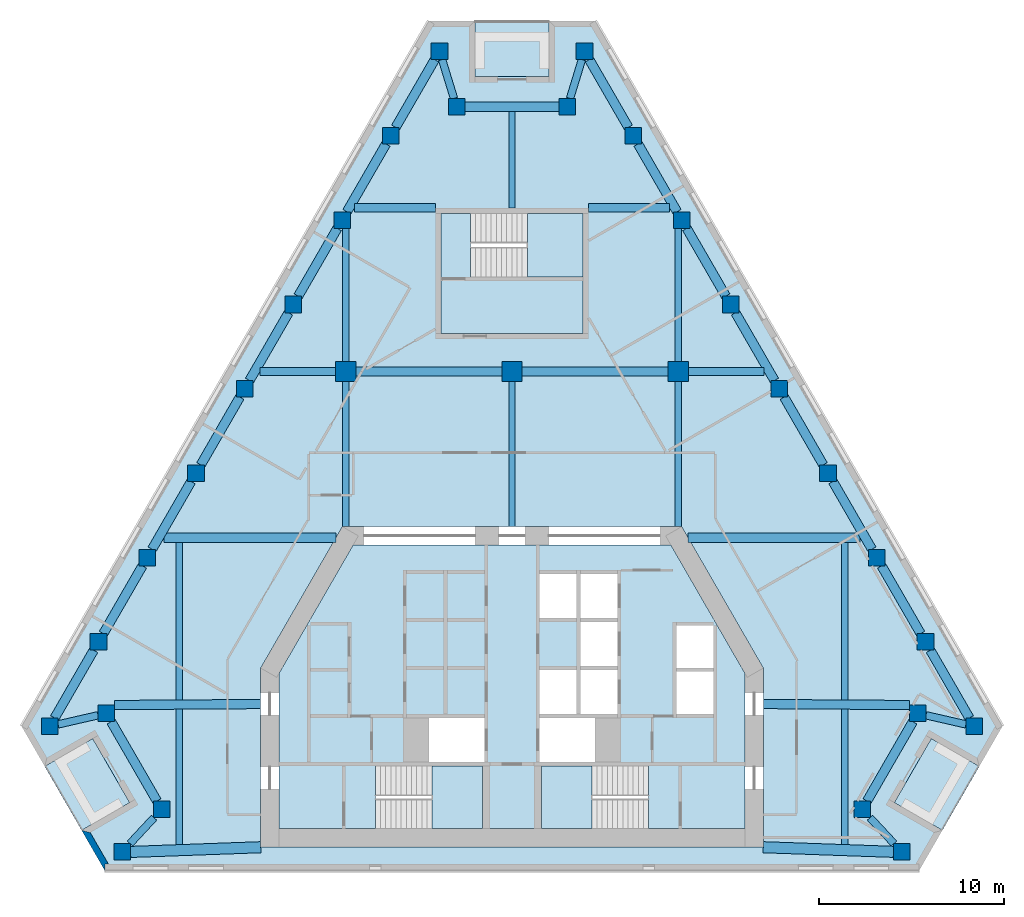
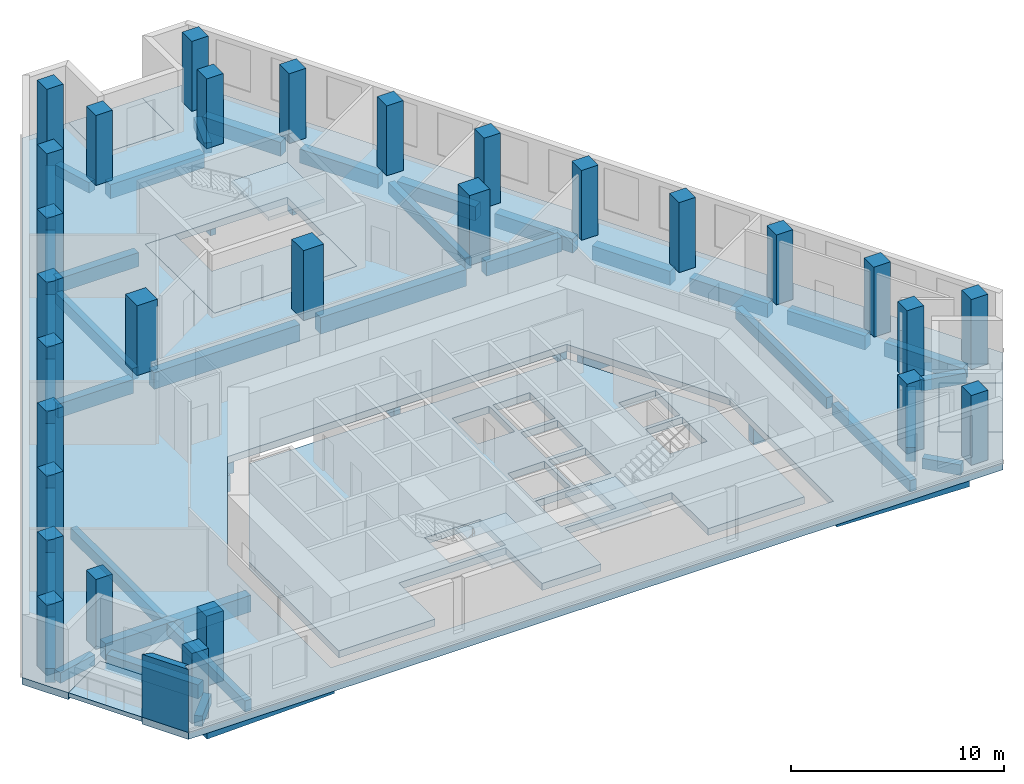
# One storey, part 1 of 8: 47 beams, 29 columns, 9 slabs, 1 wall, 3 elements without a shape of their own.
"""IFC4 building model written with IfcOpenShell, lengths in metres."""

from ifc_helpers import new_model, si_unit, direction, frame, origin, origin_2d, place, context, subcontext, project, spatial, polyline, rectangle, outline, extrude, material, layer, layer_set, material_profile, profile_set, type_object, element, aggregate, save


model = new_model("IFC4")

# Units and contexts
model_context = context("Model", 3, precision=1e-05, world=origin(), true_north=direction((0.0, 1.0)))
body_context = subcontext(model_context, "Body", "Model", "MODEL_VIEW")
ifc_project = project(units=[si_unit("LENGTHUNIT", "METRE"), si_unit("AREAUNIT", "SQUARE_METRE"), si_unit("VOLUMEUNIT", "CUBIC_METRE"), si_unit("PLANEANGLEUNIT", "RADIAN"), si_unit("MASSUNIT", "GRAM", prefix="KILO")], contexts=[model_context])

# Site, building, storey
site_placement = place(None, origin())
site = spatial("IfcSite", under=ifc_project, at=site_placement, CompositionType="ELEMENT")
building_placement = place(site_placement, origin())
building = spatial("IfcBuilding", under=site, at=building_placement, Name="Fogline Exchange Tower", CompositionType="ELEMENT")
storey_placement = place(building_placement, frame((0.0, 0.0, 235.5)))
storey = spatial("IfcBuildingStorey", under=building, at=storey_placement, Name="L53", CompositionType="ELEMENT", Elevation=235.5)

# Columns
ifc_material_1 = material(Name="Concrete C60", Category="concrete")
ifc_material_profile_1 = material_profile(ifc_material_1, rectangle(XDim=1.10009765625, YDim=1.10009765625, at=origin_2d()), Name="RC 1100x1100")
ifc_profile_set_1 = profile_set([ifc_material_profile_1], Name="Concrete C60")
column_type_1 = type_object("IfcColumnType", Name="C05", PredefinedType="COLUMN", material=ifc_profile_set_1)
for number, where, z_axis, x_axis, name in (
    (1, (-9.0, 27.0, 0.0), (0.0, 0.0, 1.0), (1.0, 0.0, 0.0), "IC--9-27"),
    (2, (0.0, 27.0, 0.0), (0.0, 0.0, 1.0), (1.0, 0.0, 0.0), "IC-0-27"),
    (3, (9.0, 27.0, 0.0), (0.0, 0.0, 1.0), (1.0, 0.0, 0.0), "IC-9-27"),
):
    element("IfcColumn", number, at=place(storey_placement, frame(where, z_axis=z_axis, x_axis=x_axis)), inside=storey, type_object=column_type_1, Name=name, PredefinedType="COLUMN", context=body_context, shape_type="SweptSolid", body=[
        extrude(rectangle(XDim=1.10009765625, YDim=1.10009765625, at=origin_2d()), origin(), (0.0, 0.0, 1.0), 4.0),
    ])
ifc_material_profile_2 = material_profile(ifc_material_1, rectangle(XDim=0.89990234375, YDim=0.89990234375, at=origin_2d()), Name="RC 900x900")
ifc_profile_set_2 = profile_set([ifc_material_profile_2], Name="Concrete C60")
column_type_2 = type_object("IfcColumnType", Name="C06", PredefinedType="COLUMN", material=ifc_profile_set_2)
for number, where, z_axis, x_axis, name in (
    (4, (-25.0146484375, 7.794189453125, 0.0), (0.0, 0.0, 1.0), (1.0, 0.0, 0.0), "SW-a"),
    (5, (-21.955322265625, 8.4951171875, 0.0), (0.0, 0.0, 1.0), (1.0, 0.0, 0.0), "SW-p4"),
    (6, (-18.955322265625, 3.299072265625, 0.0), (0.0, 0.0, 1.0), (1.0, 0.0, 0.0), "SW-p3"),
    (7, (-21.092041015625, 1.0, 0.0), (0.0, 0.0, 1.0), (1.0, 0.0, 0.0), "SW-b"),
    (8, (21.092041015625, 1.0, 0.0), (0.0, 0.0, 1.0), (1.0, 0.0, 0.0), "SE-a"),
    (9, (18.955322265625, 3.299072265625, 0.0), (0.0, 0.0, 1.0), (1.0, 0.0, 0.0), "SE-p4"),
    (10, (21.955322265625, 8.4951171875, 0.0), (0.0, 0.0, 1.0), (1.0, 0.0, 0.0), "SE-p3"),
    (11, (25.0146484375, 7.794189453125, 0.0), (0.0, 0.0, 1.0), (1.0, 0.0, 0.0), "SE-b"),
    (12, (22.378173828125, 12.36083984375, 0.0), (0.0, 0.0, 1.0), (1.0, 0.0, 0.0), "E1"),
    (13, (19.74169921875, 16.92724609375, 0.0), (0.0, 0.0, 1.0), (1.0, 0.0, 0.0), "E2"),
    (14, (17.105224609375, 21.493896484375, 0.0), (0.0, 0.0, 1.0), (1.0, 0.0, 0.0), "E3"),
    (15, (14.46875, 26.060302734375, 0.0), (0.0, 0.0, 1.0), (1.0, 0.0, 0.0), "E4"),
    (16, (11.832275390625, 30.626953125, 0.0), (0.0, 0.0, 1.0), (1.0, 0.0, 0.0), "E5"),
    (17, (9.19580078125, 35.193603515625, 0.0), (0.0, 0.0, 1.0), (1.0, 0.0, 0.0), "E6"),
    (18, (6.55908203125, 39.760009765625, 0.0), (0.0, 0.0, 1.0), (1.0, 0.0, 0.0), "E7"),
    (19, (3.922607421875, 44.32666015625, 0.0), (0.0, 0.0, 1.0), (1.0, 0.0, 0.0), "N-a"),
    (20, (3.0, 41.32666015625, 0.0), (0.0, 0.0, 1.0), (1.0, 0.0, 0.0), "N-p4"),
    (21, (-3.0, 41.32666015625, 0.0), (0.0, 0.0, 1.0), (1.0, 0.0, 0.0), "N-p3"),
    (22, (-3.922607421875, 44.32666015625, 0.0), (0.0, 0.0, 1.0), (1.0, 0.0, 0.0), "N-b"),
    (23, (-6.55908203125, 39.760009765625, 0.0), (0.0, 0.0, 1.0), (1.0, 0.0, 0.0), "W1"),
    (24, (-9.19580078125, 35.193603515625, 0.0), (0.0, 0.0, 1.0), (1.0, 0.0, 0.0), "W2"),
    (25, (-11.832275390625, 30.626953125, 0.0), (0.0, 0.0, 1.0), (1.0, 0.0, 0.0), "W3"),
    (26, (-14.46875, 26.060302734375, 0.0), (0.0, 0.0, 1.0), (1.0, 0.0, 0.0), "W4"),
    (27, (-17.105224609375, 21.493896484375, 0.0), (0.0, 0.0, 1.0), (1.0, 0.0, 0.0), "W5"),
    (28, (-19.74169921875, 16.92724609375, 0.0), (0.0, 0.0, 1.0), (1.0, 0.0, 0.0), "W6"),
    (29, (-22.378173828125, 12.36083984375, 0.0), (0.0, 0.0, 1.0), (1.0, 0.0, 0.0), "W7"),
):
    element("IfcColumn", number, at=place(storey_placement, frame(where, z_axis=z_axis, x_axis=x_axis)), inside=storey, type_object=column_type_2, Name=name, PredefinedType="COLUMN", context=body_context, shape_type="SweptSolid", body=[
        extrude(rectangle(XDim=0.89990234375, YDim=0.89990234375, at=origin_2d()), origin(), (0.0, 0.0, 1.0), 4.0),
    ])

# Beams
ifc_material_2 = material(Name="Concrete C40", Category="concrete")
ifc_material_profile_3 = material_profile(ifc_material_2, rectangle(XDim=0.300048828125, YDim=0.60009765625, at=origin_2d()), Name="RC 300x600")
ifc_profile_set_3 = profile_set([ifc_material_profile_3], Name="Concrete C40")
beam_type_1 = type_object("IfcBeamType", Name="B06", PredefinedType="BEAM", material=ifc_profile_set_3)
beam_1_placement = place(storey_placement, frame((0.0, 35.85693359375, -0.699951171875), z_axis=(0.0, 1.0, 0.0), x_axis=(-1.0, 0.0, 0.0)))
element("IfcBeam", 30, at=beam_1_placement, inside=storey, type_object=beam_type_1, Name="SB006", PredefinedType="BEAM", context=body_context, shape_type="SweptSolid", body=[
    extrude(rectangle(XDim=0.300048828125, YDim=0.60009765625, at=origin_2d()), origin(), (0.0, 0.0, 1.0), 5.2197265625),
])
ifc_material_profile_4 = material_profile(ifc_material_2, rectangle(XDim=0.60009765625, YDim=0.89990234375, at=origin_2d()), Name="RC 600x900")
ifc_profile_set_4 = profile_set([ifc_material_profile_4], Name="Concrete C40")
beam_type_2 = type_object("IfcBeamType", Name="B09", PredefinedType="BEAM", material=ifc_profile_set_4)
beam_2_placement = place(storey_placement, frame((-20.64208984375, 0.99462890625, -0.85009765625), z_axis=(0.999343107492, 0.036240219472, 0.0), x_axis=(-0.036240219472, 0.999343107492, 0.0)))
element("IfcBeam", 31, at=beam_2_placement, inside=storey, type_object=beam_type_2, Name="RB004", PredefinedType="BEAM", context=body_context, shape_type="SweptSolid", body=[
    extrude(rectangle(XDim=0.60009765625, YDim=0.89990234375, at=origin_2d()), origin(), (0.0, 0.0, 1.0), 7.046630859375),
])
beam_3_placement = place(storey_placement, frame((13.60009765625, 1.25, -0.85009765625), z_axis=(0.99937042328, -0.035478966629, 0.0), x_axis=(0.035478966629, 0.99937042328, 0.0)))
element("IfcBeam", 32, at=beam_3_placement, inside=storey, type_object=beam_type_2, Name="RB005", PredefinedType="BEAM", context=body_context, shape_type="SweptSolid", body=[
    extrude(rectangle(XDim=0.60009765625, YDim=0.89990234375, at=origin_2d()), origin(), (0.0, 0.0, 1.0), 7.04638671875),
])
ifc_material_profile_5 = material_profile(ifc_material_2, rectangle(XDim=0.5, YDim=0.800048828125, at=origin_2d()), Name="RC 500x800")
ifc_profile_set_5 = profile_set([ifc_material_profile_5], Name="Concrete C40")
beam_type_3 = type_object("IfcBeamType", Name="B10", PredefinedType="BEAM", material=ifc_profile_set_5)
for number, where, z_axis, x_axis, name in (
    (33, (-21.6953125, 8.045166015625, -0.800048828125), (0.499976646485, -0.866038886523, 0.0), (0.866038886523, 0.499976646485, 0.0), "RB002"),
    (34, (19.215087890625, 3.7490234375, -0.800048828125), (0.499976646485, 0.866038886523, 0.0), (-0.866038886523, 0.499976646485, 0.0), "RB007"),
):
    element("IfcBeam", number, at=place(storey_placement, frame(where, z_axis=z_axis, x_axis=x_axis)), inside=storey, type_object=beam_type_3, Name=name, PredefinedType="BEAM", context=body_context, shape_type="SweptSolid", body=[
        extrude(rectangle(XDim=0.5, YDim=0.800048828125, at=origin_2d()), origin(), (0.0, 0.0, 1.0), 4.960693359375),
    ])
beam_4_placement = place(storey_placement, frame((24.7548828125, 8.244140625, -0.800048828125), z_axis=(-0.499990325971, 0.866030989016, 0.0), x_axis=(-0.866030989016, -0.499990325971, 0.0)))
element("IfcBeam", 35, at=beam_4_placement, inside=storey, type_object=beam_type_3, Name="RB009", PredefinedType="BEAM", context=body_context, shape_type="SweptSolid", body=[
    extrude(rectangle(XDim=0.5, YDim=0.800048828125, at=origin_2d()), origin(), (0.0, 0.0, 1.0), 4.23388671875),
])
beam_5_placement = place(storey_placement, frame((22.118408203125, 12.810791015625, -0.800048828125), z_axis=(-0.500015295222, 0.866016572904, 0.0), x_axis=(-0.866016572904, -0.500015295222, 0.0)))
element("IfcBeam", 36, at=beam_5_placement, inside=storey, type_object=beam_type_3, Name="RB010", PredefinedType="BEAM", context=body_context, shape_type="SweptSolid", body=[
    extrude(rectangle(XDim=0.5, YDim=0.800048828125, at=origin_2d()), origin(), (0.0, 0.0, 1.0), 4.233642578125),
])
beam_6_placement = place(storey_placement, frame((19.481689453125, 17.377197265625, -0.800048828125), z_axis=(-0.499947076772, 0.866055956868, 0.0), x_axis=(-0.866055956868, -0.499947076772, 0.0)))
element("IfcBeam", 37, at=beam_6_placement, inside=storey, type_object=beam_type_3, Name="RB011", PredefinedType="BEAM", context=body_context, shape_type="SweptSolid", body=[
    extrude(rectangle(XDim=0.5, YDim=0.800048828125, at=origin_2d()), origin(), (0.0, 0.0, 1.0), 4.23388671875),
])
for number, where, z_axis, x_axis, name in (
    (38, (16.84521484375, 21.94384765625, -0.800048828125), (-0.499972045304, 0.866041542834, 0.0), (-0.866041542834, -0.499972045304, 0.0), "RB012"),
    (39, (14.208740234375, 26.510498046875, -0.800048828125), (-0.499972045304, 0.866041542834, 0.0), (-0.866041542834, -0.499972045304, 0.0), "RB013"),
    (40, (11.572265625, 31.076904296875, -0.800048828125), (-0.499972045304, 0.866041542834, 0.0), (-0.866041542834, -0.499972045304, 0.0), "RB014"),
    (41, (8.935791015625, 35.6435546875, -0.800048828125), (-0.499972045304, 0.866041542834, 0.0), (-0.866041542834, -0.499972045304, 0.0), "RB015"),
    (42, (6.29931640625, 40.210205078125, -0.800048828125), (-0.499972045304, 0.866041542834, 0.0), (-0.866041542834, -0.499972045304, 0.0), "RB016"),
):
    element("IfcBeam", number, at=place(storey_placement, frame(where, z_axis=z_axis, x_axis=x_axis)), inside=storey, type_object=beam_type_3, Name=name, PredefinedType="BEAM", context=body_context, shape_type="SweptSolid", body=[
        extrude(rectangle(XDim=0.5, YDim=0.800048828125, at=origin_2d()), origin(), (0.0, 0.0, 1.0), 4.233642578125),
    ])
beam_7_placement = place(storey_placement, frame((2.550048828125, 41.32666015625, -0.800048828125), z_axis=(-1.0, 0.0, 0.0), x_axis=(0.0, -1.0, 0.0)))
element("IfcBeam", 43, at=beam_7_placement, inside=storey, type_object=beam_type_3, Name="RB018", PredefinedType="BEAM", context=body_context, shape_type="SweptSolid", body=[
    extrude(rectangle(XDim=0.5, YDim=0.800048828125, at=origin_2d()), origin(), (0.0, 0.0, 1.0), 5.10009765625),
])
for number, where, z_axis, x_axis, name in (
    (44, (-4.1826171875, 43.876708984375, -0.800048828125), (-0.499972045304, -0.866041542834, 0.0), (0.866041542834, -0.499972045304, 0.0), "RB020"),
    (45, (-6.819091796875, 39.31005859375, -0.800048828125), (-0.499972045304, -0.866041542834, 0.0), (0.866041542834, -0.499972045304, 0.0), "RB021"),
    (46, (-9.45556640625, 34.743408203125, -0.800048828125), (-0.499972045304, -0.866041542834, 0.0), (0.866041542834, -0.499972045304, 0.0), "RB022"),
    (47, (-12.092041015625, 30.177001953125, -0.800048828125), (-0.499972045304, -0.866041542834, 0.0), (0.866041542834, -0.499972045304, 0.0), "RB023"),
    (48, (-14.728515625, 25.6103515625, -0.800048828125), (-0.499972045304, -0.866041542834, 0.0), (0.866041542834, -0.499972045304, 0.0), "RB024"),
):
    element("IfcBeam", number, at=place(storey_placement, frame(where, z_axis=z_axis, x_axis=x_axis)), inside=storey, type_object=beam_type_3, Name=name, PredefinedType="BEAM", context=body_context, shape_type="SweptSolid", body=[
        extrude(rectangle(XDim=0.5, YDim=0.800048828125, at=origin_2d()), origin(), (0.0, 0.0, 1.0), 4.233642578125),
    ])
beam_8_placement = place(storey_placement, frame((-17.364990234375, 21.0439453125, -0.800048828125), z_axis=(-0.499947076772, -0.866055956868, 0.0), x_axis=(0.866055956868, -0.499947076772, 0.0)))
element("IfcBeam", 49, at=beam_8_placement, inside=storey, type_object=beam_type_3, Name="RB025", PredefinedType="BEAM", context=body_context, shape_type="SweptSolid", body=[
    extrude(rectangle(XDim=0.5, YDim=0.800048828125, at=origin_2d()), origin(), (0.0, 0.0, 1.0), 4.23388671875),
])
beam_9_placement = place(storey_placement, frame((-20.00146484375, 16.477294921875, -0.800048828125), z_axis=(-0.500015295222, -0.866016572904, 0.0), x_axis=(0.866016572904, -0.500015295222, 0.0)))
element("IfcBeam", 50, at=beam_9_placement, inside=storey, type_object=beam_type_3, Name="RB026", PredefinedType="BEAM", context=body_context, shape_type="SweptSolid", body=[
    extrude(rectangle(XDim=0.5, YDim=0.800048828125, at=origin_2d()), origin(), (0.0, 0.0, 1.0), 4.233642578125),
])
beam_10_placement = place(storey_placement, frame((-22.637939453125, 11.910888671875, -0.800048828125), z_axis=(-0.499990325971, -0.866030989016, 0.0), x_axis=(0.866030989016, -0.499990325971, 0.0)))
element("IfcBeam", 51, at=beam_10_placement, inside=storey, type_object=beam_type_3, Name="RB027", PredefinedType="BEAM", context=body_context, shape_type="SweptSolid", body=[
    extrude(rectangle(XDim=0.5, YDim=0.800048828125, at=origin_2d()), origin(), (0.0, 0.0, 1.0), 4.23388671875),
])
ifc_material_profile_6 = material_profile(ifc_material_2, rectangle(XDim=0.39990234375, YDim=0.60009765625, at=origin_2d()), Name="RC 400x600")
ifc_profile_set_6 = profile_set([ifc_material_profile_6], Name="Concrete C40")
beam_type_4 = type_object("IfcBeamType", Name="B11", PredefinedType="BEAM", material=ifc_profile_set_6)
beam_11_placement = place(storey_placement, frame((-24.564697265625, 7.897216796875, -0.699951171875), z_axis=(0.974731818643, 0.223378337636, 0.0), x_axis=(-0.223378337636, 0.974731818643, 0.0)))
element("IfcBeam", 52, at=beam_11_placement, inside=storey, type_object=beam_type_4, Name="RB001", PredefinedType="BEAM", context=body_context, shape_type="SweptSolid", body=[
    extrude(rectangle(XDim=0.39990234375, YDim=0.60009765625, at=origin_2d()), origin(), (0.0, 0.0, 1.0), 2.21533203125),
])
for number, where, z_axis, x_axis, name in (
    (53, (-19.37353515625, 2.84912109375, -0.699951171875), (-0.68075009804, -0.732515736362, 0.0), (0.732515736362, -0.68075009804, 0.0), "RB003"),
    (54, (20.673828125, 1.449951171875, -0.699951171875), (-0.68075009804, 0.732515736362, 0.0), (-0.732515736362, -0.68075009804, 0.0), "RB006"),
):
    element("IfcBeam", number, at=place(storey_placement, frame(where, z_axis=z_axis, x_axis=x_axis)), inside=storey, type_object=beam_type_4, Name=name, PredefinedType="BEAM", context=body_context, shape_type="SweptSolid", body=[
        extrude(rectangle(XDim=0.39990234375, YDim=0.60009765625, at=origin_2d()), origin(), (0.0, 0.0, 1.0), 1.91015625),
    ])
beam_12_placement = place(storey_placement, frame((22.4052734375, 8.39208984375, -0.699951171875), z_axis=(0.974731818643, -0.223378337636, 0.0), x_axis=(0.223378337636, 0.974731818643, 0.0)))
element("IfcBeam", 55, at=beam_12_placement, inside=storey, type_object=beam_type_4, Name="RB008", PredefinedType="BEAM", context=body_context, shape_type="SweptSolid", body=[
    extrude(rectangle(XDim=0.39990234375, YDim=0.60009765625, at=origin_2d()), origin(), (0.0, 0.0, 1.0), 2.21533203125),
])
for number, where, z_axis, x_axis, name in (
    (56, (3.7841796875, 43.876708984375, -0.699951171875), (-0.293906253456, -0.95583425037, 0.0), (0.95583425037, -0.293906253456, 0.0), "RB017"),
    (57, (-3.138427734375, 41.776611328125, -0.699951171875), (-0.293906253456, 0.95583425037, 0.0), (-0.95583425037, -0.293906253456, 0.0), "RB019"),
):
    element("IfcBeam", number, at=place(storey_placement, frame(where, z_axis=z_axis, x_axis=x_axis)), inside=storey, type_object=beam_type_4, Name=name, PredefinedType="BEAM", context=body_context, shape_type="SweptSolid", body=[
        extrude(rectangle(XDim=0.39990234375, YDim=0.60009765625, at=origin_2d()), origin(), (0.0, 0.0, 1.0), 2.197021484375),
    ])
ifc_material_profile_7 = material_profile(ifc_material_2, rectangle(XDim=0.5, YDim=0.949951171875, at=origin_2d()), Name="RC 500x950")
ifc_profile_set_7 = profile_set([ifc_material_profile_7], Name="Concrete C40")
beam_type_5 = type_object("IfcBeamType", Name="B14", PredefinedType="BEAM", material=ifc_profile_set_7)
for number, where, z_axis, x_axis, name in (
    (58, (-21.50537109375, 8.9453125, -0.875), (0.999976072531, 0.006917684998, 0.0), (-0.006917684998, 0.999976072531, 0.0), "GB001"),
    (59, (13.60009765625, 9.0, -0.875), (0.999976072531, -0.006917684998, 0.0), (0.006917684998, 0.999976072531, 0.0), "GB002"),
):
    element("IfcBeam", number, at=place(storey_placement, frame(where, z_axis=z_axis, x_axis=x_axis)), inside=storey, type_object=beam_type_5, Name=name, PredefinedType="BEAM", context=body_context, shape_type="SweptSolid", body=[
        extrude(rectangle(XDim=0.5, YDim=0.949951171875, at=origin_2d()), origin(), (0.0, 0.0, 1.0), 7.905517578125),
    ])
for number, where, z_axis, x_axis, name in (
    (60, (-18.833740234375, 18.0, -0.875), (1.0, 0.0, 0.0), (0.0, 1.0, 0.0), "GB003"),
    (61, (9.527099609375, 18.0, -0.875), (1.0, 0.0, 0.0), (0.0, 1.0, 0.0), "GB004"),
):
    element("IfcBeam", number, at=place(storey_placement, frame(where, z_axis=z_axis, x_axis=x_axis)), inside=storey, type_object=beam_type_5, Name=name, PredefinedType="BEAM", context=body_context, shape_type="SweptSolid", body=[
        extrude(rectangle(XDim=0.5, YDim=0.949951171875, at=origin_2d()), origin(), (0.0, 0.0, 1.0), 9.306640625),
    ])
for number, where, z_axis, x_axis, name in (
    (62, (-8.449951171875, 27.0, -0.875), (1.0, 0.0, 0.0), (0.0, 1.0, 0.0), "GB006"),
    (63, (0.550048828125, 27.0, -0.875), (1.0, 0.0, 0.0), (0.0, 1.0, 0.0), "GB007"),
):
    element("IfcBeam", number, at=place(storey_placement, frame(where, z_axis=z_axis, x_axis=x_axis)), inside=storey, type_object=beam_type_5, Name=name, PredefinedType="BEAM", context=body_context, shape_type="SweptSolid", body=[
        extrude(rectangle(XDim=0.5, YDim=0.949951171875, at=origin_2d()), origin(), (0.0, 0.0, 1.0), 7.89990234375),
    ])
ifc_material_profile_8 = material_profile(ifc_material_2, rectangle(XDim=0.35009765625, YDim=0.64990234375, at=origin_2d()), Name="RC 350x650")
ifc_profile_set_8 = profile_set([ifc_material_profile_8], Name="Concrete C40")
beam_type_6 = type_object("IfcBeamType", Name="B16", PredefinedType="BEAM", material=ifc_profile_set_8)
beam_13_placement = place(storey_placement, frame((-18.0, 1.390625, -0.72509765625), z_axis=(0.0, 1.0, 0.0), x_axis=(-1.0, 0.0, 0.0)))
element("IfcBeam", 64, at=beam_13_placement, inside=storey, type_object=beam_type_6, Name="SB001", PredefinedType="BEAM", context=body_context, shape_type="SweptSolid", body=[
    extrude(rectangle(XDim=0.35009765625, YDim=0.64990234375, at=origin_2d()), origin(), (0.0, 0.0, 1.0), 7.328857421875),
])
beam_14_placement = place(storey_placement, frame((-18.0, 9.219482421875, -0.72509765625), z_axis=(0.0, 1.0, 0.0), x_axis=(-1.0, 0.0, 0.0)))
element("IfcBeam", 65, at=beam_14_placement, inside=storey, type_object=beam_type_6, Name="SB002", PredefinedType="BEAM", context=body_context, shape_type="SweptSolid", body=[
    extrude(rectangle(XDim=0.35009765625, YDim=0.64990234375, at=origin_2d()), origin(), (0.0, 0.0, 1.0), 8.530517578125),
])
beam_15_placement = place(storey_placement, frame((-9.0, 18.60009765625, -0.72509765625), z_axis=(0.0, 1.0, 0.0), x_axis=(-1.0, 0.0, 0.0)))
element("IfcBeam", 66, at=beam_15_placement, inside=storey, type_object=beam_type_6, Name="SB003", PredefinedType="BEAM", context=body_context, shape_type="SweptSolid", body=[
    extrude(rectangle(XDim=0.35009765625, YDim=0.64990234375, at=origin_2d()), origin(), (0.0, 0.0, 1.0), 7.849853515625),
])
beam_16_placement = place(storey_placement, frame((-9.0, 27.550048828125, -0.72509765625), z_axis=(0.0, 1.0, 0.0), x_axis=(-1.0, 0.0, 0.0)))
element("IfcBeam", 67, at=beam_16_placement, inside=storey, type_object=beam_type_6, Name="SB004", PredefinedType="BEAM", context=body_context, shape_type="SweptSolid", body=[
    extrude(rectangle(XDim=0.35009765625, YDim=0.64990234375, at=origin_2d()), origin(), (0.0, 0.0, 1.0), 7.193359375),
])
for number, where, z_axis, x_axis, name in (
    (68, (0.0, 18.60009765625, -0.72509765625), (0.0, 1.0, 0.0), (-1.0, 0.0, 0.0), "SB005"),
    (69, (9.0, 18.60009765625, -0.72509765625), (0.0, 1.0, 0.0), (-1.0, 0.0, 0.0), "SB007"),
):
    element("IfcBeam", number, at=place(storey_placement, frame(where, z_axis=z_axis, x_axis=x_axis)), inside=storey, type_object=beam_type_6, Name=name, PredefinedType="BEAM", context=body_context, shape_type="SweptSolid", body=[
        extrude(rectangle(XDim=0.35009765625, YDim=0.64990234375, at=origin_2d()), origin(), (0.0, 0.0, 1.0), 7.849853515625),
    ])
beam_17_placement = place(storey_placement, frame((9.0, 27.550048828125, -0.72509765625), z_axis=(0.0, 1.0, 0.0), x_axis=(-1.0, 0.0, 0.0)))
element("IfcBeam", 70, at=beam_17_placement, inside=storey, type_object=beam_type_6, Name="SB008", PredefinedType="BEAM", context=body_context, shape_type="SweptSolid", body=[
    extrude(rectangle(XDim=0.35009765625, YDim=0.64990234375, at=origin_2d()), origin(), (0.0, 0.0, 1.0), 7.193359375),
])
beam_18_placement = place(storey_placement, frame((18.0, 1.39404296875, -0.72509765625), z_axis=(0.0, 1.0, 0.0), x_axis=(-1.0, 0.0, 0.0)))
element("IfcBeam", 71, at=beam_18_placement, inside=storey, type_object=beam_type_6, Name="SB009", PredefinedType="BEAM", context=body_context, shape_type="SweptSolid", body=[
    extrude(rectangle(XDim=0.35009765625, YDim=0.64990234375, at=origin_2d()), origin(), (0.0, 0.0, 1.0), 7.325439453125),
])
beam_19_placement = place(storey_placement, frame((18.0, 9.219482421875, -0.72509765625), z_axis=(0.0, 1.0, 0.0), x_axis=(-1.0, 0.0, 0.0)))
element("IfcBeam", 72, at=beam_19_placement, inside=storey, type_object=beam_type_6, Name="SB010", PredefinedType="BEAM", context=body_context, shape_type="SweptSolid", body=[
    extrude(rectangle(XDim=0.35009765625, YDim=0.64990234375, at=origin_2d()), origin(), (0.0, 0.0, 1.0), 8.530517578125),
])
ifc_material_profile_9 = material_profile(ifc_material_2, rectangle(XDim=0.449951171875, YDim=0.800048828125, at=origin_2d()), Name="RC 450x800")
ifc_profile_set_9 = profile_set([ifc_material_profile_9], Name="Concrete C40")
beam_type_7 = type_object("IfcBeamType", Name="B18", PredefinedType="BEAM", material=ifc_profile_set_9)
for number, where, z_axis, x_axis, name in (
    (73, (-13.637451171875, 27.0, -0.800048828125), (1.0, 0.0, 0.0), (0.0, 1.0, 0.0), "GB005"),
    (74, (9.550048828125, 27.0, -0.800048828125), (1.0, 0.0, 0.0), (0.0, 1.0, 0.0), "GB008"),
):
    element("IfcBeam", number, at=place(storey_placement, frame(where, z_axis=z_axis, x_axis=x_axis)), inside=storey, type_object=beam_type_7, Name=name, PredefinedType="BEAM", context=body_context, shape_type="SweptSolid", body=[
        extrude(rectangle(XDim=0.449951171875, YDim=0.800048828125, at=origin_2d()), origin(), (0.0, 0.0, 1.0), 4.08740234375),
    ])
for number, where, z_axis, x_axis, name in (
    (75, (-8.52392578125, 35.85693359375, -0.800048828125), (1.0, 0.0, 0.0), (0.0, 1.0, 0.0), "GB009"),
    (76, (4.14990234375, 35.85693359375, -0.800048828125), (1.0, 0.0, 0.0), (0.0, 1.0, 0.0), "GB010"),
):
    element("IfcBeam", number, at=place(storey_placement, frame(where, z_axis=z_axis, x_axis=x_axis)), inside=storey, type_object=beam_type_7, Name=name, PredefinedType="BEAM", context=body_context, shape_type="SweptSolid", body=[
        extrude(rectangle(XDim=0.449951171875, YDim=0.800048828125, at=origin_2d()), origin(), (0.0, 0.0, 1.0), 4.3740234375),
    ])

# Slabs
ifc_layer_1 = layer(ifc_material_2, 0.25)
ifc_layer_set_1 = layer_set([ifc_layer_1], Name="DK1")
slab_type_1 = type_object("IfcSlabType", Name="DK1", PredefinedType="FLOOR", material=ifc_layer_set_1)
slab_1_placement = place(storey_placement, frame((0.0, 0.0, -0.25)))
element("IfcSlab", 77, at=slab_1_placement, inside=storey, type_object=slab_type_1, Name="Balcony L53 SW", PredefinedType="FLOOR", context=body_context, shape_type="SweptSolid", body=[
    extrude(outline(polyline([(-25.291748046875, 5.629150390625), (-23.291748046875, 2.1650390625), (-20.693603515625, 3.6650390625), (-22.693603515625, 7.129150390625), (-25.291748046875, 5.629150390625)])), origin(), (0.0, 0.0, 1.0), 0.25),
])
slab_2_placement = place(storey_placement, frame((0.0, 0.0, -0.25)))
element("IfcSlab", 78, at=slab_2_placement, inside=storey, type_object=slab_type_1, Name="Balcony L53 SE", PredefinedType="FLOOR", context=body_context, shape_type="SweptSolid", body=[
    extrude(outline(polyline([(23.291748046875, 2.1650390625), (25.291748046875, 5.629150390625), (22.693603515625, 7.129150390625), (20.693603515625, 3.6650390625), (23.291748046875, 2.1650390625)])), origin(), (0.0, 0.0, 1.0), 0.25),
])
slab_3_placement = place(storey_placement, frame((0.0, 0.0, -0.25)))
element("IfcSlab", 79, at=slab_3_placement, inside=storey, type_object=slab_type_1, Name="Balcony L53 N", PredefinedType="FLOOR", context=body_context, shape_type="SweptSolid", body=[
    extrude(outline(polyline([(2.0, 45.9716796875), (-2.0, 45.9716796875), (-2.0, 42.9716796875), (2.0, 42.9716796875), (2.0, 45.9716796875)])), origin(), (0.0, 0.0, 1.0), 0.25),
])
ifc_layer_2 = layer(ifc_material_2, 0.39990234375)
ifc_layer_set_2 = layer_set([ifc_layer_2], Name="S03")
slab_type_2 = type_object("IfcSlabType", Name="S03", PredefinedType="FLOOR", material=ifc_layer_set_2)
slab_4_placement = place(storey_placement, frame((0.0, 0.0, -0.39990234375)))
element("IfcSlab", 80, at=slab_4_placement, inside=storey, type_object=slab_type_2, Name="SLAB L53", PredefinedType="FLOOR", context=body_context, shape_type="SweptSolid", body=[
    extrude(outline(polyline([(-2.0, 45.9716796875), (-4.5, 45.9716796875), (-26.541748046875, 7.794189453125), (-25.291748046875, 5.629150390625), (-22.693603515625, 7.129150390625), (-20.693603515625, 3.6650390625), (-23.291748046875, 2.1650390625), (-22.041748046875, 0.0), (22.041748046875, 0.0), (23.291748046875, 2.1650390625), (20.693603515625, 3.6650390625), (22.693603515625, 7.129150390625), (25.291748046875, 5.629150390625), (26.541748046875, 7.794189453125), (4.5, 45.9716796875), (2.0, 45.9716796875), (2.0, 42.9716796875), (-2.0, 42.9716796875), (-2.0, 45.9716796875)]), holes=[polyline([(13.60009765625, 10.9453125), (13.60009765625, 1.25), (-13.60009765625, 1.25), (-13.60009765625, 10.9453125), (-9.1806640625, 18.60009765625), (9.1806640625, 18.60009765625), (13.60009765625, 10.9453125)]), polyline([(3.85009765625, 35.556884765625), (3.85009765625, 29.056884765625), (-3.85009765625, 29.056884765625), (-3.85009765625, 35.556884765625), (3.85009765625, 35.556884765625)])]), origin(), (0.0, 0.0, 1.0), 0.39990234375),
])
slab_5_placement = place(storey_placement, frame((0.0, 0.0, -0.39990234375)))
element("IfcSlab", 81, at=slab_5_placement, inside=storey, type_object=slab_type_2, Name="Core floor slab", PredefinedType="FLOOR", context=body_context, shape_type="SweptSolid", body=[
    extrude(outline(polyline([(-12.60009765625, 2.25), (-12.60009765625, 10.677490234375), (-8.603271484375, 17.60009765625), (8.603271484375, 17.60009765625), (12.60009765625, 10.677490234375), (12.60009765625, 2.25), (7.389892578125, 2.25), (7.389892578125, 5.64990234375), (1.60009765625, 5.64990234375), (1.60009765625, 2.25), (-1.60009765625, 2.25), (-1.60009765625, 5.64990234375), (-7.389892578125, 5.64990234375), (-7.389892578125, 2.25), (-12.60009765625, 2.25)]), holes=[polyline([(-4.5, 8.25), (-4.5, 5.85009765625), (-1.5, 5.85009765625), (-1.5, 8.25), (-4.5, 8.25)]), polyline([(4.5, 8.25), (1.5, 8.25), (1.5, 5.85009765625), (4.5, 5.85009765625), (4.5, 8.25)]), polyline([(3.5, 10.85009765625), (1.5, 10.85009765625), (1.5, 8.449951171875), (3.5, 8.449951171875), (3.5, 10.85009765625)]), polyline([(1.5, 16.050048828125), (1.5, 13.64990234375), (3.5, 13.64990234375), (3.5, 16.050048828125), (1.5, 16.050048828125)]), polyline([(10.89990234375, 10.75), (8.89990234375, 10.75), (8.89990234375, 8.449951171875), (10.89990234375, 8.449951171875), (10.89990234375, 10.75)]), polyline([(5.699951171875, 10.85009765625), (3.699951171875, 10.85009765625), (3.699951171875, 8.449951171875), (5.699951171875, 8.449951171875), (5.699951171875, 10.85009765625)]), polyline([(8.89990234375, 13.25), (8.89990234375, 10.949951171875), (10.89990234375, 10.949951171875), (10.89990234375, 13.25), (8.89990234375, 13.25)]), polyline([(5.699951171875, 13.449951171875), (3.699951171875, 13.449951171875), (3.699951171875, 11.050048828125), (5.699951171875, 11.050048828125), (5.699951171875, 13.449951171875)]), polyline([(5.699951171875, 16.050048828125), (3.699951171875, 16.050048828125), (3.699951171875, 13.64990234375), (5.699951171875, 13.64990234375), (5.699951171875, 16.050048828125)])]), origin(), (0.0, 0.0, 1.0), 0.39990234375),
])
slab_6_placement = place(storey_placement, frame((0.0, 0.0, -0.39990234375)))
element("IfcSlab", 82, at=slab_6_placement, inside=storey, type_object=slab_type_2, Name="Stair enclosure floor slab", PredefinedType="FLOOR", context=body_context, shape_type="SweptSolid", body=[
    extrude(outline(polyline([(3.85009765625, 29.056884765625), (-3.85009765625, 29.056884765625), (-3.85009765625, 35.556884765625), (-2.239990234375, 35.556884765625), (-2.239990234375, 32.10693359375), (3.85009765625, 32.10693359375), (3.85009765625, 29.056884765625)])), origin(), (0.0, 0.0, 1.0), 0.39990234375),
])

# Stair, slab
stair_type = type_object("IfcStairType", Name="STR24-1667", PredefinedType="HALF_TURN_STAIR", material=ifc_material_2)
stair_1_placement = place(storey_placement, origin())
stair_1 = element("IfcStair", 83, at=stair_1_placement, inside=storey, type_object=stair_type, Name="Stair ST1", PredefinedType="HALF_TURN_STAIR")
ifc_layer_3 = layer(ifc_material_2, 0.199951171875)
ifc_layer_set_3 = layer_set([ifc_layer_3], Name="SL200")
slab_type_3 = type_object("IfcSlabType", Name="SL200", PredefinedType="LANDING", material=ifc_layer_set_3)
slab_7_placement = place(storey_placement, frame((0.0, 0.0, 1.800048828125)))
slab_7 = element("IfcSlab", 84, at=slab_7_placement, type_object=slab_type_3, Name="ST1 landing 1", PredefinedType="LANDING", context=body_context, shape_type="SweptSolid", body=[
    extrude(outline(polyline([(-4.320068359375, 2.25), (-1.60009765625, 2.25), (-1.60009765625, 5.64990234375), (-4.320068359375, 5.64990234375), (-4.320068359375, 2.25)])), origin(), (0.0, 0.0, 1.0), 0.199951171875),
])
aggregate(stair_1, [slab_7])

stair_2_placement = place(storey_placement, origin())
stair_2 = element("IfcStair", 85, at=stair_2_placement, inside=storey, type_object=stair_type, Name="Stair ST2", PredefinedType="HALF_TURN_STAIR")
slab_8_placement = place(storey_placement, frame((0.0, 0.0, 1.800048828125)))
slab_8 = element("IfcSlab", 86, at=slab_8_placement, type_object=slab_type_3, Name="ST2 landing 1", PredefinedType="LANDING", context=body_context, shape_type="SweptSolid", body=[
    extrude(outline(polyline([(1.60009765625, 2.25), (4.320068359375, 2.25), (4.320068359375, 5.64990234375), (1.60009765625, 5.64990234375), (1.60009765625, 2.25)])), origin(), (0.0, 0.0, 1.0), 0.199951171875),
])
aggregate(stair_2, [slab_8])

stair_3_placement = place(storey_placement, origin())
stair_3 = element("IfcStair", 87, at=stair_3_placement, inside=storey, type_object=stair_type, Name="Stair ST3", PredefinedType="HALF_TURN_STAIR")
slab_9_placement = place(storey_placement, frame((0.0, 0.0, 1.800048828125)))
slab_9 = element("IfcSlab", 88, at=slab_9_placement, type_object=slab_type_3, Name="ST3 landing 1", PredefinedType="LANDING", context=body_context, shape_type="SweptSolid", body=[
    extrude(outline(polyline([(0.830078125, 32.10693359375), (3.85009765625, 32.10693359375), (3.85009765625, 35.556884765625), (0.830078125, 35.556884765625), (0.830078125, 32.10693359375)])), origin(), (0.0, 0.0, 1.0), 0.199951171875),
])
aggregate(stair_3, [slab_9])

# Wall
ifc_material_3 = material(Name="Brick masonry", Category="masonry")
ifc_layer_4 = layer(ifc_material_3, 0.340087890625)
ifc_layer_set_4 = layer_set([ifc_layer_4], Name="FW1")
wall_type = type_object("IfcWallType", Name="FW1", PredefinedType="SOLIDWALL", material=ifc_layer_set_4)
wall_placement = place(storey_placement, origin())
element("IfcWall", 89, at=wall_placement, inside=storey, type_object=wall_type, Name="Brick wall L53 SW-c2", PredefinedType="SOLIDWALL", context=body_context, shape_type="SweptSolid", body=[
    extrude(outline(polyline([(-21.844482421875, 0.33935546875), (-22.041259765625, 0.33935546875), (-22.041259765625, -0.0009765625), (-22.041748046875, -0.001220703125), (-23.292724609375, 2.165771484375), (-23.29248046875, 2.166015625), (-22.826904296875, 2.041015625), (-21.844482421875, 0.33935546875)])), origin(), (0.0, 0.0, 1.0), 3.60009765625),
])

save(model, "model.ifc")
